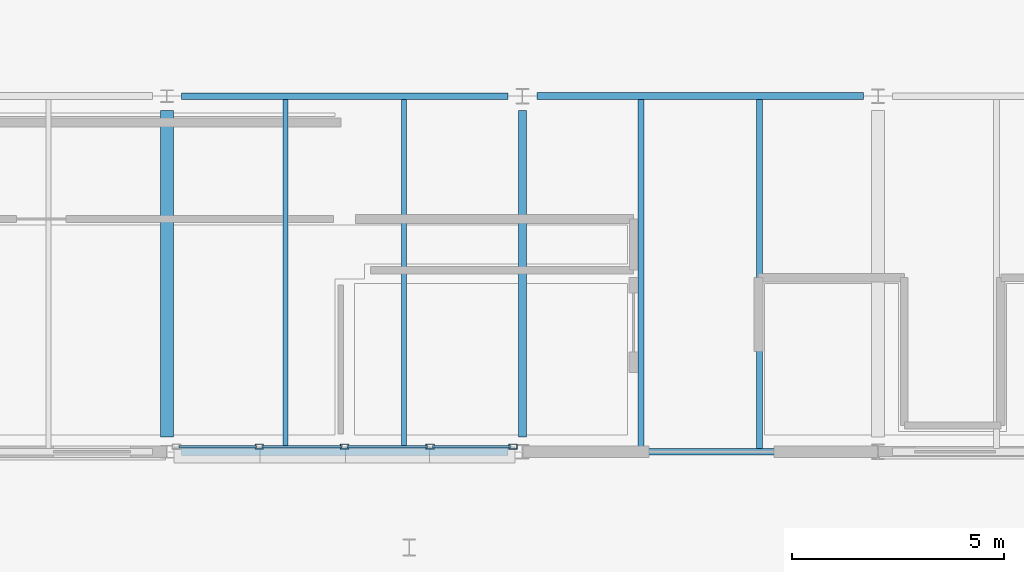
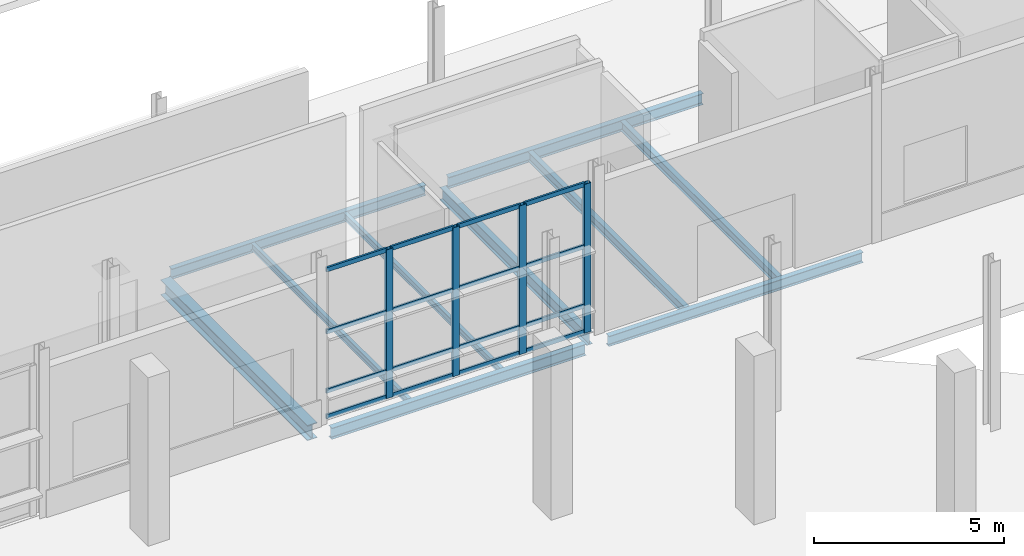
# One storey, part 20 of 124: 20 members, 10 beams, 1 element without a shape of its own.
"""IFC4 building model written with IfcOpenShell, lengths in metres."""

from ifc_helpers import new_model, si_unit, direction, frame, origin, origin_2d, place, context, subcontext, project, spatial, hollow_rectangle, i_section, extrude, material, material_profile, profile_set, type_object, element, aggregate, save


model = new_model("IFC4")

# Units and contexts
model_context = context("Model", 3, precision=1e-05, world=origin(), true_north=direction((0.0, 1.0)))
body_context = subcontext(model_context, "Body", "Model", "MODEL_VIEW")
ifc_project = project(units=[si_unit("LENGTHUNIT", "METRE"), si_unit("AREAUNIT", "SQUARE_METRE"), si_unit("VOLUMEUNIT", "CUBIC_METRE"), si_unit("PLANEANGLEUNIT", "RADIAN"), si_unit("MASSUNIT", "GRAM", prefix="KILO")], contexts=[model_context])

# Site, building, storey
site_placement = place(None, origin())
site = spatial("IfcSite", under=ifc_project, at=site_placement, CompositionType="ELEMENT")
building_placement = place(site_placement, origin())
building = spatial("IfcBuilding", under=site, at=building_placement, Name="Mersafa Astral City Hall", CompositionType="ELEMENT")
storey_placement = place(building_placement, origin())
storey = spatial("IfcBuildingStorey", under=building, at=storey_placement, Name="L00", CompositionType="ELEMENT", Elevation=0.0)

# Curtain wall, members
ifc_material_1 = material(Name="Anodised bronze aluminium framing", Category="aluminium")
curtain_wall_type = type_object("IfcCurtainWallType", Name="ENV-CW-6", PredefinedType="USERDEFINED", material=ifc_material_1)
curtain_wall_placement = place(storey_placement, origin())
curtain_wall = element("IfcCurtainWall", 1, at=curtain_wall_placement, inside=storey, type_object=curtain_wall_type, Name="L00 Unitised solar curtain wall 41", ObjectType="UNITISED CURTAIN WALL", PredefinedType="USERDEFINED")
ifc_material_profile_1 = material_profile(ifc_material_1, hollow_rectangle(XDim=0.1201171875, YDim=0.199951171875, WallThickness=0.008056640625, at=origin_2d()), Name="RHS 120x200x8")
ifc_profile_set_1 = profile_set([ifc_material_profile_1], Name="Anodised bronze aluminium framing")
member_type_1 = type_object("IfcMemberType", Name="ENV-CW-MUL-2", PredefinedType="MULLION", material=ifc_profile_set_1)
member_1_placement = place(storey_placement, frame((35.781005859375, 50.52001953125, -0.001953125), z_axis=(0.0, 0.0, 1.0), x_axis=(0.0, 1.0, 0.0)))
member_1 = element("IfcMember", 2, at=member_1_placement, type_object=member_type_1, Name="CW-6 mullion 2", PredefinedType="MULLION", context=body_context, shape_type="SweptSolid", body=[
    extrude(hollow_rectangle(XDim=0.1201171875, YDim=0.199951171875, WallThickness=0.008056640625, at=origin_2d()), origin(), (0.0, 0.0, 1.0), 4.76904296875),
])
member_2_placement = place(storey_placement, frame((37.800048828125, 50.52001953125, -0.001953125), z_axis=(0.0, 0.0, 1.0), x_axis=(0.0, 1.0, 0.0)))
member_2 = element("IfcMember", 3, at=member_2_placement, type_object=member_type_1, Name="CW-6 mullion 3", PredefinedType="MULLION", context=body_context, shape_type="SweptSolid", body=[
    extrude(hollow_rectangle(XDim=0.1201171875, YDim=0.199951171875, WallThickness=0.008056640625, at=origin_2d()), origin(), (0.0, 0.0, 1.0), 4.76904296875),
])
member_3_placement = place(storey_placement, frame((39.819091796875, 50.52001953125, -0.001953125), z_axis=(0.0, 0.0, 1.0), x_axis=(0.0, 1.0, 0.0)))
member_3 = element("IfcMember", 4, at=member_3_placement, type_object=member_type_1, Name="CW-6 mullion 4", PredefinedType="MULLION", context=body_context, shape_type="SweptSolid", body=[
    extrude(hollow_rectangle(XDim=0.1201171875, YDim=0.199951171875, WallThickness=0.008056640625, at=origin_2d()), origin(), (0.0, 0.0, 1.0), 4.76904296875),
])
member_4_placement = place(storey_placement, frame((41.778076171875, 50.52001953125, -0.001953125), z_axis=(0.0, 0.0, 1.0), x_axis=(0.0, 1.0, 0.0)))
member_4 = element("IfcMember", 5, at=member_4_placement, type_object=member_type_1, Name="CW-6 mullion 5", PredefinedType="MULLION", context=body_context, shape_type="SweptSolid", body=[
    extrude(hollow_rectangle(XDim=0.1201171875, YDim=0.199951171875, WallThickness=0.008056640625, at=origin_2d()), origin(), (0.0, 0.0, 1.0), 4.76904296875),
])
ifc_material_profile_2 = material_profile(ifc_material_1, hollow_rectangle(XDim=0.06005859375, YDim=0.139892578125, WallThickness=0.00390625, at=origin_2d()), Name="RHS 60x140x4")
ifc_profile_set_2 = profile_set([ifc_material_profile_2], Name="Anodised bronze aluminium framing")
member_type_2 = type_object("IfcMemberType", Name="ENV-CW-TRN-1", PredefinedType="USERDEFINED", material=ifc_profile_set_2)
member_5_placement = place(storey_placement, frame((33.882080078125, 50.52001953125, 0.028076171875), z_axis=(1.0, 0.0, 0.0), x_axis=(0.0, 1.0, 0.0)))
member_5 = element("IfcMember", 6, at=member_5_placement, type_object=member_type_2, Name="CW-6 transom 1.1", ObjectType="TRANSOM", PredefinedType="USERDEFINED", context=body_context, shape_type="SweptSolid", body=[
    extrude(hollow_rectangle(XDim=0.06005859375, YDim=0.139892578125, WallThickness=0.00390625, at=origin_2d()), origin(), (0.0, 0.0, 1.0), 1.8388671875),
])
member_6_placement = place(storey_placement, frame((33.882080078125, 50.52001953125, 0.85009765625), z_axis=(1.0, 0.0, 0.0), x_axis=(0.0, 1.0, 0.0)))
member_6 = element("IfcMember", 7, at=member_6_placement, type_object=member_type_2, Name="CW-6 transom 1.2", ObjectType="TRANSOM", PredefinedType="USERDEFINED", context=body_context, shape_type="SweptSolid", body=[
    extrude(hollow_rectangle(XDim=0.06005859375, YDim=0.139892578125, WallThickness=0.00390625, at=origin_2d()), origin(), (0.0, 0.0, 1.0), 1.8388671875),
])
member_7_placement = place(storey_placement, frame((33.882080078125, 50.52001953125, 2.75), z_axis=(1.0, 0.0, 0.0), x_axis=(0.0, 1.0, 0.0)))
member_7 = element("IfcMember", 8, at=member_7_placement, type_object=member_type_2, Name="CW-6 transom 1.3", ObjectType="TRANSOM", PredefinedType="USERDEFINED", context=body_context, shape_type="SweptSolid", body=[
    extrude(hollow_rectangle(XDim=0.06005859375, YDim=0.139892578125, WallThickness=0.00390625, at=origin_2d()), origin(), (0.0, 0.0, 1.0), 1.8388671875),
])
member_8_placement = place(storey_placement, frame((33.882080078125, 50.52001953125, 4.737060546875), z_axis=(1.0, 0.0, 0.0), x_axis=(0.0, 1.0, 0.0)))
member_8 = element("IfcMember", 9, at=member_8_placement, type_object=member_type_2, Name="CW-6 transom 1.4", ObjectType="TRANSOM", PredefinedType="USERDEFINED", context=body_context, shape_type="SweptSolid", body=[
    extrude(hollow_rectangle(XDim=0.06005859375, YDim=0.139892578125, WallThickness=0.00390625, at=origin_2d()), origin(), (0.0, 0.0, 1.0), 1.8388671875),
])
member_9_placement = place(storey_placement, frame((35.841064453125, 50.52001953125, 0.028076171875), z_axis=(1.0, 0.0, 0.0), x_axis=(0.0, 1.0, 0.0)))
member_9 = element("IfcMember", 10, at=member_9_placement, type_object=member_type_2, Name="CW-6 transom 2.1", ObjectType="TRANSOM", PredefinedType="USERDEFINED", context=body_context, shape_type="SweptSolid", body=[
    extrude(hollow_rectangle(XDim=0.06005859375, YDim=0.139892578125, WallThickness=0.00390625, at=origin_2d()), origin(), (0.0, 0.0, 1.0), 1.89892578125),
])
member_10_placement = place(storey_placement, frame((35.841064453125, 50.52001953125, 0.85009765625), z_axis=(1.0, 0.0, 0.0), x_axis=(0.0, 1.0, 0.0)))
member_10 = element("IfcMember", 11, at=member_10_placement, type_object=member_type_2, Name="CW-6 transom 2.2", ObjectType="TRANSOM", PredefinedType="USERDEFINED", context=body_context, shape_type="SweptSolid", body=[
    extrude(hollow_rectangle(XDim=0.06005859375, YDim=0.139892578125, WallThickness=0.00390625, at=origin_2d()), origin(), (0.0, 0.0, 1.0), 1.89892578125),
])
member_11_placement = place(storey_placement, frame((35.841064453125, 50.52001953125, 2.75), z_axis=(1.0, 0.0, 0.0), x_axis=(0.0, 1.0, 0.0)))
member_11 = element("IfcMember", 12, at=member_11_placement, type_object=member_type_2, Name="CW-6 transom 2.3", ObjectType="TRANSOM", PredefinedType="USERDEFINED", context=body_context, shape_type="SweptSolid", body=[
    extrude(hollow_rectangle(XDim=0.06005859375, YDim=0.139892578125, WallThickness=0.00390625, at=origin_2d()), origin(), (0.0, 0.0, 1.0), 1.89892578125),
])
member_12_placement = place(storey_placement, frame((35.841064453125, 50.52001953125, 4.737060546875), z_axis=(1.0, 0.0, 0.0), x_axis=(0.0, 1.0, 0.0)))
member_12 = element("IfcMember", 13, at=member_12_placement, type_object=member_type_2, Name="CW-6 transom 2.4", ObjectType="TRANSOM", PredefinedType="USERDEFINED", context=body_context, shape_type="SweptSolid", body=[
    extrude(hollow_rectangle(XDim=0.06005859375, YDim=0.139892578125, WallThickness=0.00390625, at=origin_2d()), origin(), (0.0, 0.0, 1.0), 1.89892578125),
])
member_13_placement = place(storey_placement, frame((37.860107421875, 50.52001953125, 0.028076171875), z_axis=(1.0, 0.0, 0.0), x_axis=(0.0, 1.0, 0.0)))
member_13 = element("IfcMember", 14, at=member_13_placement, type_object=member_type_2, Name="CW-6 transom 3.1", ObjectType="TRANSOM", PredefinedType="USERDEFINED", context=body_context, shape_type="SweptSolid", body=[
    extrude(hollow_rectangle(XDim=0.06005859375, YDim=0.139892578125, WallThickness=0.00390625, at=origin_2d()), origin(), (0.0, 0.0, 1.0), 1.89892578125),
])
member_14_placement = place(storey_placement, frame((37.860107421875, 50.52001953125, 0.85009765625), z_axis=(1.0, 0.0, 0.0), x_axis=(0.0, 1.0, 0.0)))
member_14 = element("IfcMember", 15, at=member_14_placement, type_object=member_type_2, Name="CW-6 transom 3.2", ObjectType="TRANSOM", PredefinedType="USERDEFINED", context=body_context, shape_type="SweptSolid", body=[
    extrude(hollow_rectangle(XDim=0.06005859375, YDim=0.139892578125, WallThickness=0.00390625, at=origin_2d()), origin(), (0.0, 0.0, 1.0), 1.89892578125),
])
member_15_placement = place(storey_placement, frame((37.860107421875, 50.52001953125, 2.75), z_axis=(1.0, 0.0, 0.0), x_axis=(0.0, 1.0, 0.0)))
member_15 = element("IfcMember", 16, at=member_15_placement, type_object=member_type_2, Name="CW-6 transom 3.3", ObjectType="TRANSOM", PredefinedType="USERDEFINED", context=body_context, shape_type="SweptSolid", body=[
    extrude(hollow_rectangle(XDim=0.06005859375, YDim=0.139892578125, WallThickness=0.00390625, at=origin_2d()), origin(), (0.0, 0.0, 1.0), 1.89892578125),
])
member_16_placement = place(storey_placement, frame((37.860107421875, 50.52001953125, 4.737060546875), z_axis=(1.0, 0.0, 0.0), x_axis=(0.0, 1.0, 0.0)))
member_16 = element("IfcMember", 17, at=member_16_placement, type_object=member_type_2, Name="CW-6 transom 3.4", ObjectType="TRANSOM", PredefinedType="USERDEFINED", context=body_context, shape_type="SweptSolid", body=[
    extrude(hollow_rectangle(XDim=0.06005859375, YDim=0.139892578125, WallThickness=0.00390625, at=origin_2d()), origin(), (0.0, 0.0, 1.0), 1.89892578125),
])
member_17_placement = place(storey_placement, frame((39.87890625, 50.52001953125, 0.028076171875), z_axis=(1.0, 0.0, 0.0), x_axis=(0.0, 1.0, 0.0)))
member_17 = element("IfcMember", 18, at=member_17_placement, type_object=member_type_2, Name="CW-6 transom 4.1", ObjectType="TRANSOM", PredefinedType="USERDEFINED", context=body_context, shape_type="SweptSolid", body=[
    extrude(hollow_rectangle(XDim=0.06005859375, YDim=0.139892578125, WallThickness=0.00390625, at=origin_2d()), origin(), (0.0, 0.0, 1.0), 1.839111328125),
])
member_18_placement = place(storey_placement, frame((39.87890625, 50.52001953125, 0.85009765625), z_axis=(1.0, 0.0, 0.0), x_axis=(0.0, 1.0, 0.0)))
member_18 = element("IfcMember", 19, at=member_18_placement, type_object=member_type_2, Name="CW-6 transom 4.2", ObjectType="TRANSOM", PredefinedType="USERDEFINED", context=body_context, shape_type="SweptSolid", body=[
    extrude(hollow_rectangle(XDim=0.06005859375, YDim=0.139892578125, WallThickness=0.00390625, at=origin_2d()), origin(), (0.0, 0.0, 1.0), 1.839111328125),
])
member_19_placement = place(storey_placement, frame((39.87890625, 50.52001953125, 2.75), z_axis=(1.0, 0.0, 0.0), x_axis=(0.0, 1.0, 0.0)))
member_19 = element("IfcMember", 20, at=member_19_placement, type_object=member_type_2, Name="CW-6 transom 4.3", ObjectType="TRANSOM", PredefinedType="USERDEFINED", context=body_context, shape_type="SweptSolid", body=[
    extrude(hollow_rectangle(XDim=0.06005859375, YDim=0.139892578125, WallThickness=0.00390625, at=origin_2d()), origin(), (0.0, 0.0, 1.0), 1.839111328125),
])
member_20_placement = place(storey_placement, frame((39.87890625, 50.52001953125, 4.737060546875), z_axis=(1.0, 0.0, 0.0), x_axis=(0.0, 1.0, 0.0)))
member_20 = element("IfcMember", 21, at=member_20_placement, type_object=member_type_2, Name="CW-6 transom 4.4", ObjectType="TRANSOM", PredefinedType="USERDEFINED", context=body_context, shape_type="SweptSolid", body=[
    extrude(hollow_rectangle(XDim=0.06005859375, YDim=0.139892578125, WallThickness=0.00390625, at=origin_2d()), origin(), (0.0, 0.0, 1.0), 1.839111328125),
])
aggregate(curtain_wall, [member_1, member_2, member_3, member_4, member_5, member_6, member_7, member_8, member_9, member_10, member_11, member_12, member_13, member_14, member_15, member_16, member_17, member_18, member_19, member_20])

# Beams
ifc_material_2 = material(Name="Steel S355", Category="steel")
ifc_material_profile_3 = material_profile(ifc_material_2, i_section(OverallWidth=0.300048828125, OverallDepth=0.489990234375, WebThickness=0.011962890625, FlangeThickness=0.02294921875, FilletRadius=0.027099609375, at=origin_2d()), Name="HEA 500")
ifc_profile_set_3 = profile_set([ifc_material_profile_3], Name="Steel S355")
beam_type_1 = type_object("IfcBeamType", Name="STR-BM-HEA500", PredefinedType="BEAM", material=ifc_profile_set_3)
beam_1_placement = place(storey_placement, frame((33.60009765625, 50.7451171875, -0.4951171875), z_axis=(0.0, 1.0, 0.0), x_axis=(-1.0, 0.0, 0.0)))
element("IfcBeam", 22, at=beam_1_placement, inside=storey, type_object=beam_type_1, Name="L00 Primary girder Y 4-6", PredefinedType="BEAM", context=body_context, shape_type="SweptSolid", body=[
    extrude(i_section(OverallWidth=0.300048828125, OverallDepth=0.489990234375, WebThickness=0.011962890625, FlangeThickness=0.02294921875, FilletRadius=0.027099609375, at=origin_2d()), origin(), (0.0, 0.0, 1.0), 7.7099609375),
])
ifc_material_profile_4 = material_profile(ifc_material_2, i_section(OverallWidth=0.179931640625, OverallDepth=0.39990234375, WebThickness=0.008544921875, FlangeThickness=0.013427734375, FilletRadius=0.02099609375, at=origin_2d()), Name="IPE 400")
ifc_profile_set_4 = profile_set([ifc_material_profile_4], Name="Steel S355")
beam_type_2 = type_object("IfcBeamType", Name="STR-BM-IPE400", PredefinedType="BEAM", material=ifc_profile_set_4)
beam_2_placement = place(storey_placement, frame((42.0, 50.7451171875, -0.449951171875), z_axis=(0.0, 1.0, 0.0), x_axis=(-1.0, 0.0, 0.0)))
element("IfcBeam", 23, at=beam_2_placement, inside=storey, type_object=beam_type_2, Name="L00 Primary girder Y 5-6", PredefinedType="BEAM", context=body_context, shape_type="SweptSolid", body=[
    extrude(i_section(OverallWidth=0.179931640625, OverallDepth=0.39990234375, WebThickness=0.008544921875, FlangeThickness=0.013427734375, FilletRadius=0.02099609375, at=origin_2d()), origin(), (0.0, 0.0, 1.0), 7.7099609375),
])
ifc_material_profile_5 = material_profile(ifc_material_2, i_section(OverallWidth=0.110107421875, OverallDepth=0.219970703125, WebThickness=0.005859375, FlangeThickness=0.00927734375, FilletRadius=0.011962890625, at=origin_2d()), Name="IPE 220")
ifc_profile_set_5 = profile_set([ifc_material_profile_5], Name="Steel S355")
beam_type_3 = type_object("IfcBeamType", Name="STR-BM-JOIST-IPE220", PredefinedType="JOIST", material=ifc_profile_set_5)
for number, where, z_axis, x_axis, name in (
    (24, (36.39990234375, 50.47998046875, -0.360107421875), (0.0, 1.0, 0.0), (-1.0, 0.0, 0.0), "L00 Composite secondary floor joist 26"),
    (25, (39.199951171875, 50.47998046875, -0.360107421875), (0.0, 1.0, 0.0), (-1.0, 0.0, 0.0), "L00 Composite secondary floor joist 27"),
):
    element("IfcBeam", number, at=place(storey_placement, frame(where, z_axis=z_axis, x_axis=x_axis)), inside=storey, type_object=beam_type_3, Name=name, PredefinedType="JOIST", context=body_context, shape_type="SweptSolid", body=[
        extrude(i_section(OverallWidth=0.110107421875, OverallDepth=0.219970703125, WebThickness=0.005859375, FlangeThickness=0.00927734375, FilletRadius=0.011962890625, at=origin_2d()), origin(), (0.0, 0.0, 1.0), 8.2451171875),
    ])
ifc_material_profile_6 = material_profile(ifc_material_2, i_section(OverallWidth=0.14990234375, OverallDepth=0.300048828125, WebThickness=0.007080078125, FlangeThickness=0.0107421875, FilletRadius=0.014892578125, at=origin_2d()), Name="IPE 300")
ifc_profile_set_6 = profile_set([ifc_material_profile_6], Name="Steel S355")
beam_type_4 = type_object("IfcBeamType", Name="STR-BM-JOIST-IPE300", PredefinedType="JOIST", material=ifc_profile_set_6)
for number, where, z_axis, x_axis, name in (
    (26, (44.800048828125, 50.47509765625, -0.39990234375), (0.0, 1.0, 0.0), (-1.0, 0.0, 0.0), "L00 Composite secondary floor joist 30"),
    (27, (47.60009765625, 50.47509765625, -0.39990234375), (0.0, 1.0, 0.0), (-1.0, 0.0, 0.0), "L00 Composite secondary floor joist 31"),
):
    element("IfcBeam", number, at=place(storey_placement, frame(where, z_axis=z_axis, x_axis=x_axis)), inside=storey, type_object=beam_type_4, Name=name, PredefinedType="JOIST", context=body_context, shape_type="SweptSolid", body=[
        extrude(i_section(OverallWidth=0.14990234375, OverallDepth=0.300048828125, WebThickness=0.007080078125, FlangeThickness=0.0107421875, FilletRadius=0.014892578125, at=origin_2d()), origin(), (0.0, 0.0, 1.0), 8.244873046875),
    ])
ifc_material_profile_7 = material_profile(ifc_material_2, i_section(OverallWidth=0.159912109375, OverallDepth=0.330078125, WebThickness=0.007568359375, FlangeThickness=0.011474609375, FilletRadius=0.01806640625, at=origin_2d()), Name="IPE 330")
ifc_profile_set_7 = profile_set([ifc_material_profile_7], Name="Steel S355")
beam_type_5 = type_object("IfcBeamType", Name="STR-BM-SPANDREL-IPE330", PredefinedType="SPANDREL", material=ifc_profile_set_7)
for number, where, z_axis, x_axis, name in (
    (28, (42.344970703125, 50.39990234375, -0.4150390625), (1.0, 0.0, 0.0), (0.0, 1.0, 0.0), "L00 Primary girder X 5-6"),
    (29, (33.945068359375, 58.800048828125, -0.4150390625), (1.0, 0.0, 0.0), (0.0, 1.0, 0.0), "L00 Primary girder X 4-7"),
):
    element("IfcBeam", number, at=place(storey_placement, frame(where, z_axis=z_axis, x_axis=x_axis)), inside=storey, type_object=beam_type_5, Name=name, PredefinedType="SPANDREL", context=body_context, shape_type="SweptSolid", body=[
        extrude(i_section(OverallWidth=0.159912109375, OverallDepth=0.330078125, WebThickness=0.007568359375, FlangeThickness=0.011474609375, FilletRadius=0.01806640625, at=origin_2d()), origin(), (0.0, 0.0, 1.0), 7.7099609375),
    ])
ifc_material_profile_8 = material_profile(ifc_material_2, i_section(OverallWidth=0.169921875, OverallDepth=0.360107421875, WebThickness=0.008056640625, FlangeThickness=0.0126953125, FilletRadius=0.01806640625, at=origin_2d()), Name="IPE 360")
ifc_profile_set_8 = profile_set([ifc_material_profile_8], Name="Steel S355")
beam_type_6 = type_object("IfcBeamType", Name="STR-BM-SPANDREL-IPE360", PredefinedType="SPANDREL", material=ifc_profile_set_8)
for number, where, z_axis, x_axis, name in (
    (30, (33.945068359375, 50.39990234375, -0.429931640625), (1.0, 0.0, 0.0), (0.0, 1.0, 0.0), "L00 Primary girder X 4-6"),
    (31, (42.344970703125, 58.800048828125, -0.429931640625), (1.0, 0.0, 0.0), (0.0, 1.0, 0.0), "L00 Primary girder X 5-7"),
):
    element("IfcBeam", number, at=place(storey_placement, frame(where, z_axis=z_axis, x_axis=x_axis)), inside=storey, type_object=beam_type_6, Name=name, PredefinedType="SPANDREL", context=body_context, shape_type="SweptSolid", body=[
        extrude(i_section(OverallWidth=0.169921875, OverallDepth=0.360107421875, WebThickness=0.008056640625, FlangeThickness=0.0126953125, FilletRadius=0.01806640625, at=origin_2d()), origin(), (0.0, 0.0, 1.0), 7.7099609375),
    ])

save(model, "model.ifc")
